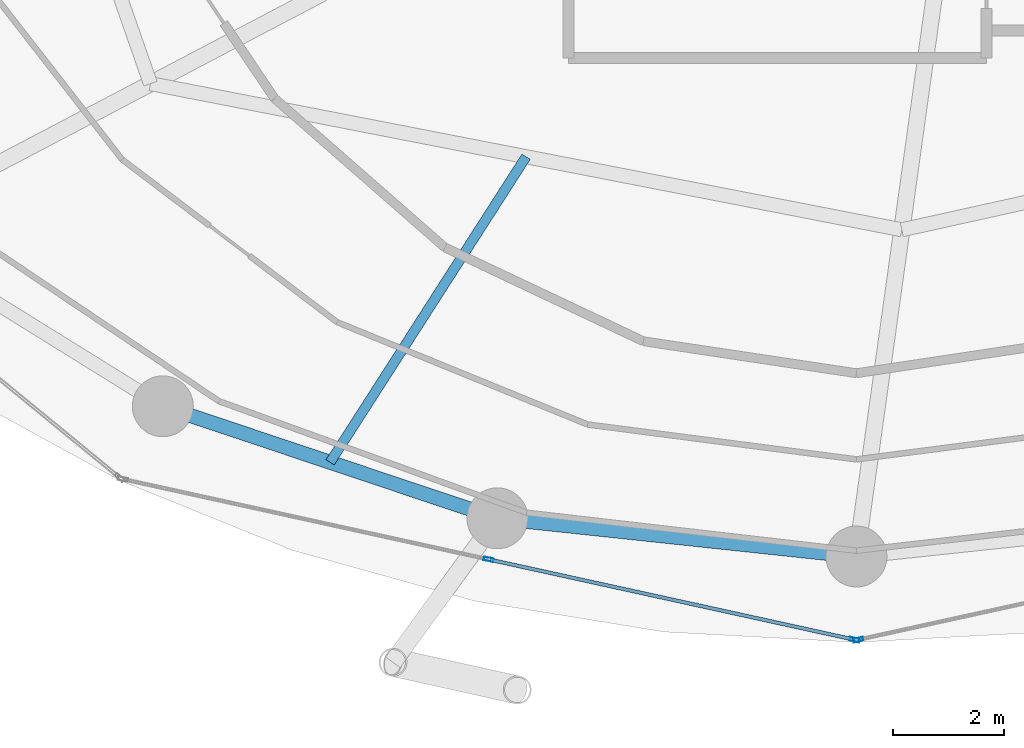
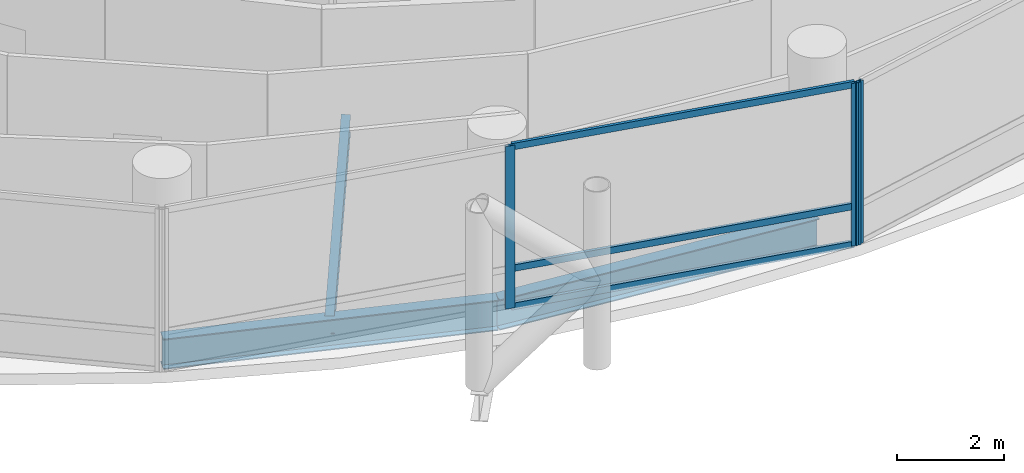
# One storey, part 4 of 27: 6 members, 3 beams, 2 elements without a shape of their own.
"""IFC4 building model written with IfcOpenShell, lengths in metres."""

from ifc_helpers import new_model, si_unit, direction, frame, origin, origin_2d, place, context, subcontext, project, spatial, hollow_rectangle, i_section, extrude, material, layer, layer_set, material_profile, profile_set, type_object, element, aggregate, save


model = new_model("IFC4")

# Units and contexts
model_context = context("Model", 3, precision=1e-05, world=origin(), true_north=direction((0.0, 1.0)))
body_context = subcontext(model_context, "Body", "Model", "MODEL_VIEW")
ifc_project = project(units=[si_unit("LENGTHUNIT", "METRE"), si_unit("AREAUNIT", "SQUARE_METRE"), si_unit("VOLUMEUNIT", "CUBIC_METRE"), si_unit("PLANEANGLEUNIT", "RADIAN"), si_unit("MASSUNIT", "GRAM", prefix="KILO")], contexts=[model_context])

# Site, building, storey
site_placement = place(None, origin())
site = spatial("IfcSite", under=ifc_project, at=site_placement, CompositionType="ELEMENT")
building_placement = place(site_placement, origin())
building = spatial("IfcBuilding", under=site, at=building_placement, Name="Nuhasar Tower", CompositionType="ELEMENT")
storey_placement = place(building_placement, frame((0.0, 0.0, 102.0)))
storey = spatial("IfcBuildingStorey", under=building, at=storey_placement, Name="L24", CompositionType="ELEMENT", Elevation=102.0)

# Beams
ifc_material_1 = material(Name="Steel S355", Category="steel")
ifc_material_profile_1 = material_profile(ifc_material_1, i_section(OverallWidth=0.177978515625, OverallDepth=0.406005859375, WebThickness=0.0078125, FlangeThickness=0.0126953125, at=origin_2d()), Name="W16X40")
ifc_profile_set_1 = profile_set([ifc_material_profile_1], Name="Steel S355")
beam_type_1 = type_object("IfcBeamType", Name="BM-JST-W16X40", PredefinedType="JOIST", material=ifc_profile_set_1)
beam_1_placement = place(storey_placement, frame((33.035888671875, 13.77001953125, -0.452880859375), z_axis=(-0.539944240715, -0.841700788237, 0.0), x_axis=(0.841700788237, -0.539944240715, 0.0)))
element("IfcBeam", 1, at=beam_1_placement, inside=storey, type_object=beam_type_1, Name="L24 Secondary Floor Joist 01", PredefinedType="JOIST", context=body_context, shape_type="SweptSolid", body=[
    extrude(i_section(OverallWidth=0.177978515625, OverallDepth=0.406005859375, WebThickness=0.0078125, FlangeThickness=0.0126953125, at=origin_2d()), origin(), (0.0, 0.0, 1.0), 6.555908203125),
])
ifc_material_profile_2 = material_profile(ifc_material_1, i_section(OverallWidth=0.256103515625, OverallDepth=0.693115234375, WebThickness=0.014404296875, FlangeThickness=0.023681640625, at=origin_2d()), Name="W27X114")
ifc_profile_set_2 = profile_set([ifc_material_profile_2], Name="Steel S355")
beam_type_2 = type_object("IfcBeamType", Name="BM-RING-W27X114", PredefinedType="SPANDREL", material=ifc_profile_set_2)
beam_2_placement = place(storey_placement, frame((26.47509765625, 9.262939453125, -0.596923828125), z_axis=(0.94826097201, -0.317491935271, 0.0), x_axis=(0.317491935271, 0.94826097201, 0.0)))
element("IfcBeam", 2, at=beam_2_placement, inside=storey, type_object=beam_type_2, Name="L24 Perimeter Ring Spandrel 17", PredefinedType="SPANDREL", context=body_context, shape_type="SweptSolid", body=[
    extrude(i_section(OverallWidth=0.256103515625, OverallDepth=0.693115234375, WebThickness=0.014404296875, FlangeThickness=0.023681640625, at=origin_2d()), origin(), (0.0, 0.0, 1.0), 6.37158203125),
])
beam_3_placement = place(storey_placement, frame((32.51708984375, 7.239990234375, -0.596923828125), z_axis=(0.994384554061, -0.105827022286, 0.0), x_axis=(0.105827022286, 0.994384554061, 0.0)))
element("IfcBeam", 3, at=beam_3_placement, inside=storey, type_object=beam_type_2, Name="L24 Perimeter Ring Spandrel 18", PredefinedType="SPANDREL", context=body_context, shape_type="SweptSolid", body=[
    extrude(i_section(OverallWidth=0.256103515625, OverallDepth=0.693115234375, WebThickness=0.014404296875, FlangeThickness=0.023681640625, at=origin_2d()), origin(), (0.0, 0.0, 1.0), 6.51953125),
])

# Curtain wall, members
ifc_material_2 = material(Name="Aluminium 6063-T6", Category="aluminium")
ifc_layer = layer(ifc_material_2, 0.199951171875)
ifc_layer_set = layer_set([ifc_layer], Name="Aluminium 6063-T6")
curtain_wall_type = type_object("IfcCurtainWallType", Name="CW-Z1-OFF", PredefinedType="NOTDEFINED", material=ifc_layer_set)
curtain_wall_1_placement = place(storey_placement, origin())
curtain_wall_1 = element("IfcCurtainWall", 4, at=curtain_wall_1_placement, inside=storey, type_object=curtain_wall_type, Name="L24 Unitised Curtain Wall 09", PredefinedType="NOTDEFINED")
ifc_material_profile_3 = material_profile(ifc_material_2, hollow_rectangle(XDim=0.06494140625, YDim=0.179931640625, WallThickness=0.0048828125, at=origin_2d()), Name="CWM-2")
ifc_profile_set_3 = profile_set([ifc_material_profile_3], Name="Aluminium 6063-T6")
member_type_1 = type_object("IfcMemberType", Name="CW-MUL-S2", PredefinedType="MULLION", material=ifc_profile_set_3)
member_1_placement = place(storey_placement, frame((32.360107421875, 6.49755859375, 0.0), z_axis=(0.0, 0.0, 1.0), x_axis=(0.214398737637, 0.976746221544, 0.0)))
member_1 = element("IfcMember", 5, at=member_1_placement, type_object=member_type_1, Name="CW-Z1 mullion 2", PredefinedType="MULLION", context=body_context, shape_type="SweptSolid", body=[
    extrude(hollow_rectangle(XDim=0.06494140625, YDim=0.179931640625, WallThickness=0.0048828125, at=origin_2d()), origin(), (0.0, 0.0, 1.0), 3.699951171875),
])
member_2_placement = place(storey_placement, frame((38.96826171875, 5.046875, 0.0), z_axis=(0.0, 0.0, 1.0), x_axis=(0.214398737637, 0.976746221544, 0.0)))
member_2 = element("IfcMember", 6, at=member_2_placement, type_object=member_type_1, Name="CW-Z1 mullion 3", PredefinedType="MULLION", context=body_context, shape_type="SweptSolid", body=[
    extrude(hollow_rectangle(XDim=0.06494140625, YDim=0.179931640625, WallThickness=0.0048828125, at=origin_2d()), origin(), (0.0, 0.0, 1.0), 3.699951171875),
])

# Curtain wall, member
curtain_wall_2_placement = place(storey_placement, origin())
curtain_wall_2 = element("IfcCurtainWall", 7, at=curtain_wall_2_placement, inside=storey, type_object=curtain_wall_type, Name="L24 Unitised Curtain Wall 10", PredefinedType="NOTDEFINED")
member_3_placement = place(storey_placement, frame((39.03173828125, 5.046875, 0.0), z_axis=(0.0, 0.0, 1.0), x_axis=(-0.214398737637, 0.976746221544, 0.0)))
member_3 = element("IfcMember", 8, at=member_3_placement, type_object=member_type_1, Name="CW-Z1 mullion 1", PredefinedType="MULLION", context=body_context, shape_type="SweptSolid", body=[
    extrude(hollow_rectangle(XDim=0.06494140625, YDim=0.179931640625, WallThickness=0.0048828125, at=origin_2d()), origin(), (0.0, 0.0, 1.0), 3.699951171875),
])
aggregate(curtain_wall_2, [member_3])

# Member
ifc_material_profile_4 = material_profile(ifc_material_2, hollow_rectangle(XDim=0.06494140625, YDim=0.14990234375, WallThickness=0.00439453125, at=origin_2d()), Name="CWT-2")
ifc_profile_set_4 = profile_set([ifc_material_profile_4], Name="Aluminium 6063-T6")
member_type_2 = type_object("IfcMemberType", Name="CW-TRN-S2", PredefinedType="USERDEFINED", material=ifc_profile_set_4)
member_4_placement = place(storey_placement, frame((32.391845703125, 6.490478515625, 0.032470703125), z_axis=(0.976747879138, -0.214391185916, 0.0), x_axis=(0.214391185916, 0.976747879138, 0.0)))
member_4 = element("IfcMember", 9, at=member_4_placement, type_object=member_type_2, Name="CW-Z1 transom 2.1", ObjectType="TRANSOM", PredefinedType="USERDEFINED", context=body_context, shape_type="SweptSolid", body=[
    extrude(hollow_rectangle(XDim=0.06494140625, YDim=0.14990234375, WallThickness=0.00439453125, at=origin_2d()), origin(), (0.0, 0.0, 1.0), 6.700439453125),
])

member_5_placement = place(storey_placement, frame((32.391845703125, 6.490478515625, 0.89990234375), z_axis=(0.976747879138, -0.214391185916, 0.0), x_axis=(0.214391185916, 0.976747879138, 0.0)))
member_5 = element("IfcMember", 10, at=member_5_placement, type_object=member_type_2, Name="CW-Z1 transom 2.2", ObjectType="TRANSOM", PredefinedType="USERDEFINED", context=body_context, shape_type="SweptSolid", body=[
    extrude(hollow_rectangle(XDim=0.06494140625, YDim=0.14990234375, WallThickness=0.00439453125, at=origin_2d()), origin(), (0.0, 0.0, 1.0), 6.700439453125),
])

member_6_placement = place(storey_placement, frame((32.391845703125, 6.490478515625, 3.66748046875), z_axis=(0.976747879138, -0.214391185916, 0.0), x_axis=(0.214391185916, 0.976747879138, 0.0)))
member_6 = element("IfcMember", 11, at=member_6_placement, type_object=member_type_2, Name="CW-Z1 transom 2.3", ObjectType="TRANSOM", PredefinedType="USERDEFINED", context=body_context, shape_type="SweptSolid", body=[
    extrude(hollow_rectangle(XDim=0.06494140625, YDim=0.14990234375, WallThickness=0.00439453125, at=origin_2d()), origin(), (0.0, 0.0, 1.0), 6.700439453125),
])

aggregate(curtain_wall_1, [member_1, member_2, member_4, member_5, member_6])

save(model, "model.ifc")
